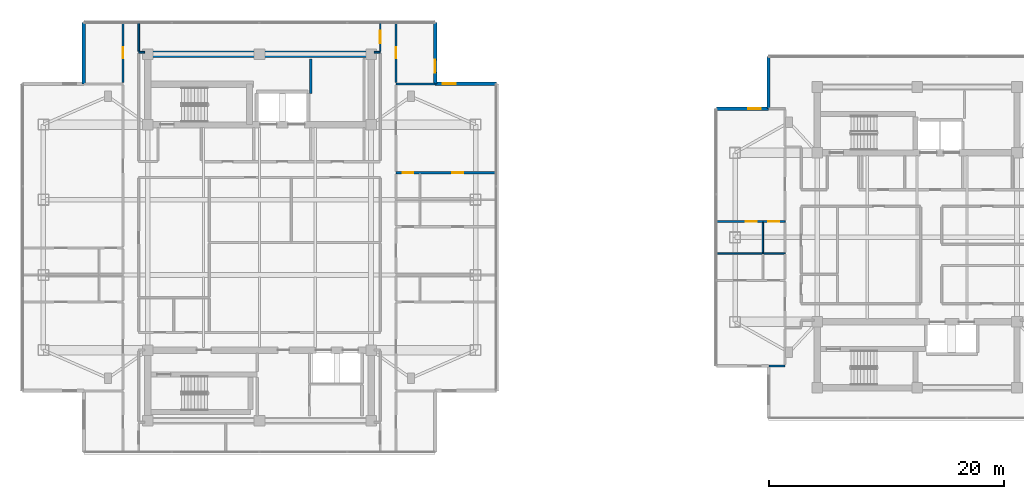
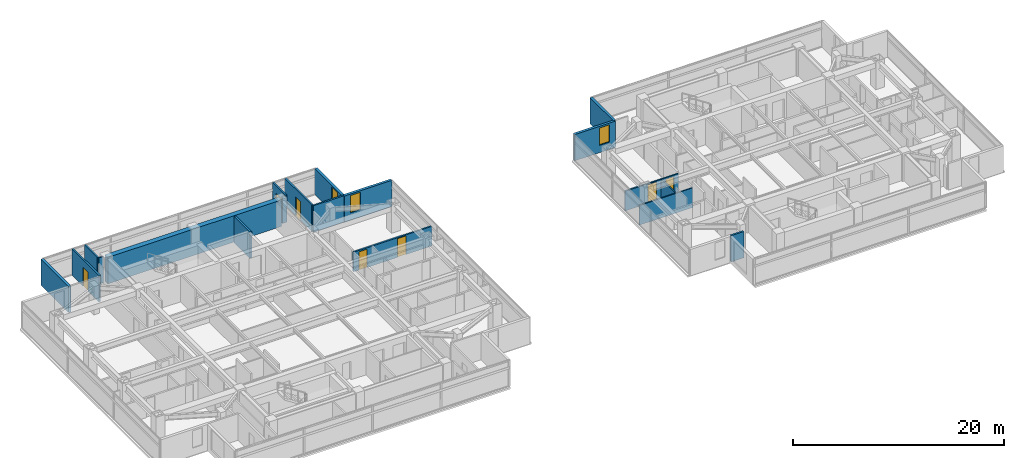
# One storey, part 15 of 24: 19 walls, 7 doors, 3 windows, 10 openings.
"""IFC4 building model written with IfcOpenShell, lengths in metres."""

from ifc_helpers import new_model, si_unit, direction, frame, frame_2d, origin, place, context, subcontext, project, spatial, rectangle, extrude, material, layer, layer_set, type_object, element, fill, save


model = new_model("IFC4")

# Units and contexts
model_context = context("Model", 3, precision=1e-05, world=origin(), true_north=direction((0.0, 1.0)))
body_context = subcontext(model_context, "Body", "Model", "MODEL_VIEW")
ifc_project = project(units=[si_unit("LENGTHUNIT", "METRE"), si_unit("AREAUNIT", "SQUARE_METRE"), si_unit("VOLUMEUNIT", "CUBIC_METRE"), si_unit("PLANEANGLEUNIT", "RADIAN"), si_unit("MASSUNIT", "GRAM", prefix="KILO")], contexts=[model_context])

# Site, building, storey
site_placement = place(None, origin())
site = spatial("IfcSite", under=ifc_project, at=site_placement, CompositionType="ELEMENT")
building_placement = place(site_placement, origin())
building = spatial("IfcBuilding", under=site, at=building_placement, Name="Mirazonda Arch Towers", CompositionType="ELEMENT")
storey_placement = place(building_placement, frame((0.0, 0.0, 193.39990234375)))
storey = spatial("IfcBuildingStorey", under=building, at=storey_placement, Name="L55", CompositionType="ELEMENT", Elevation=193.39990234375)

# Wall
ifc_material_1 = material(Name="Concrete C50/60", Category="concrete")
ifc_layer_1 = layer(ifc_material_1, 0.550048828125, Name="WALL-CORE-550")
ifc_layer_set_1 = layer_set([ifc_layer_1], Name="Concrete C50/60")
wall_type_1 = type_object("IfcWallType", Name="WALL-CORE-550", PredefinedType="SHEAR", material=ifc_layer_set_1)
wall_1_placement = place(storey_placement, frame((11.0, 43.60009765625, 0.0), z_axis=(0.0, 0.0, 1.0), x_axis=(1.0, 0.0, 0.0)))
element("IfcWall", 1, at=wall_1_placement, inside=storey, type_object=wall_type_1, Name="L55 T1N-N Core Shear Wall", PredefinedType="SHEAR", context=body_context, shape_type="SweptSolid", body=[
    extrude(rectangle(XDim=19.0, YDim=0.550048828125, at=frame_2d((9.5, 0.0))), origin(), (0.0, 0.0, 1.0), 3.050048828125),
])

# Wall, opening, window
ifc_material_2 = material(Name="Precast Concrete C40/50", Category="concrete")
ifc_layer_2 = layer(ifc_material_2, 0.280029296875, Name="WALL-EXT-WALL-280")
ifc_layer_set_2 = layer_set([ifc_layer_2], Name="Precast Concrete C40/50")
wall_type_2 = type_object("IfcWallType", Name="WALL-EXT-WALL-280", PredefinedType="SOLIDWALL", material=ifc_layer_set_2)
wall_2_placement = place(storey_placement, frame((35.455078125, 41.069091796875, 0.0), z_axis=(0.0, 0.0, 1.0), x_axis=(0.0, 1.0, 0.0)))
wall_2 = element("IfcWall", 2, at=wall_2_placement, inside=storey, type_object=wall_type_2, Name="L55 T1 Notched NE Corner Wall WL-L55-T1-CNE", PredefinedType="SOLIDWALL", context=body_context, shape_type="SweptSolid", body=[
    extrude(rectangle(XDim=5.21484375, YDim=0.280029296875, at=frame_2d((2.607421875, 0.0))), origin(), (0.0, 0.0, 1.0), 3.030029296875),
])
opening_1_placement = place(wall_2_placement, frame((0.949951171875, 0.0, 0.85009765625)))
opening_1 = element("IfcOpeningElement", 3, at=opening_1_placement, cuts=wall_2, Name="Opening WN-108", PredefinedType="OPENING", context=body_context, shape_type="SweptSolid", body=[
    extrude(rectangle(XDim=1.10009765625, YDim=2.0, at=frame_2d((0.550048828125, 1.0))), frame((0.0, 0.14990234375, 0.0), z_axis=(0.0, -1.0, 0.0), x_axis=(1.0, 0.0, 0.0)), (0.0, 0.0, 1.0), 0.300048828125),
])
ifc_material_3 = material(Name="Insulated Low-E Solar Glass", Category="glass")
window_type = type_object("IfcWindowType", Name="WIN-NOTCH-1100x2000", PartitioningType="SINGLE_PANEL", PredefinedType="WINDOW", material=ifc_material_3)
window_1_placement = place(opening_1_placement, origin())
window_1 = element("IfcWindow", 4, at=window_1_placement, inside=storey, type_object=window_type, Name="L55 Punched Facade Window WN-L55-T1-CNE", OverallHeight=2.0, OverallWidth=1.10009765625, PartitioningType="SINGLE_PANEL", PredefinedType="WINDOW", context=body_context, shape_type="SweptSolid", body=[
    extrude(rectangle(XDim=1.10009765625, YDim=2.0, at=frame_2d((0.550048828125, 1.0))), frame((0.0, 0.030029296875, 0.0), z_axis=(0.0, -1.0, 0.0), x_axis=(1.0, 0.0, 0.0)), (0.0, 0.0, 1.0), 0.06005859375),
])
fill(opening_1, window_1)

# Wall
wall_3_placement = place(storey_placement, frame((5.544921875, 46.283935546875, 0.0), z_axis=(0.0, 0.0, 1.0), x_axis=(0.0, -1.0, 0.0)))
element("IfcWall", 5, at=wall_3_placement, inside=storey, type_object=wall_type_2, Name="L55 T1 Corner Notch Return Wall WL-L55-T1-CNW2", PredefinedType="SOLIDWALL", context=body_context, shape_type="SweptSolid", body=[
    extrude(rectangle(XDim=5.21484375, YDim=0.280029296875, at=frame_2d((2.607421875, 0.0))), origin(), (0.0, 0.0, 1.0), 3.030029296875),
])

# Wall, opening, window
wall_4_placement = place(storey_placement, frame((40.669921875, 41.069091796875, 0.0), z_axis=(0.0, 0.0, 1.0), x_axis=(-1.0, 0.0, 0.0)))
wall_4 = element("IfcWall", 6, at=wall_4_placement, inside=storey, type_object=wall_type_2, Name="L55 T1 Corner Notch Return Wall WL-L55-T1-CNE2", PredefinedType="SOLIDWALL", context=body_context, shape_type="SweptSolid", body=[
    extrude(rectangle(XDim=5.21484375, YDim=0.280029296875, at=frame_2d((2.607421875, 0.0))), origin(), (0.0, 0.0, 1.0), 3.030029296875),
])
opening_2_placement = place(wall_4_placement, frame((3.465087890625, 0.0, 0.85009765625)))
opening_2 = element("IfcOpeningElement", 7, at=opening_2_placement, cuts=wall_4, Name="Opening WN-108", PredefinedType="OPENING", context=body_context, shape_type="SweptSolid", body=[
    extrude(rectangle(XDim=1.10009765625, YDim=2.0, at=frame_2d((0.550048828125, 1.0))), frame((0.0, 0.14990234375, 0.0), z_axis=(0.0, -1.0, 0.0), x_axis=(1.0, 0.0, 0.0)), (0.0, 0.0, 1.0), 0.300048828125),
])
window_2_placement = place(opening_2_placement, origin())
window_2 = element("IfcWindow", 8, at=window_2_placement, inside=storey, type_object=window_type, Name="L55 Punched Facade Window WN-L55-T1-CNE2", OverallHeight=2.0, OverallWidth=1.10009765625, PartitioningType="SINGLE_PANEL", PredefinedType="WINDOW", context=body_context, shape_type="SweptSolid", body=[
    extrude(rectangle(XDim=1.10009765625, YDim=2.0, at=frame_2d((0.550048828125, 1.0))), frame((0.0, 0.030029296875, 0.0), z_axis=(0.0, -1.0, 0.0), x_axis=(1.0, 0.0, 0.0)), (0.0, 0.0, 1.0), 0.06005859375),
])
fill(opening_2, window_2)

wall_5_placement = place(storey_placement, frame((63.84814453125, 38.94873046875, 0.0), z_axis=(0.0, 0.0, 1.0), x_axis=(-1.0, 0.0, 0.0)))
wall_5 = element("IfcWall", 9, at=wall_5_placement, inside=storey, type_object=wall_type_2, Name="L55 T2 Corner Notch Return Wall WL-L55-T2-CNW1", PredefinedType="SOLIDWALL", context=body_context, shape_type="SweptSolid", body=[
    extrude(rectangle(XDim=4.439697265625, YDim=0.280029296875, at=frame_2d((2.2197265625, 0.0))), origin(), (0.0, 0.0, 1.0), 3.030029296875),
])
opening_3_placement = place(wall_5_placement, frame((0.64990234375, 0.0, 0.85009765625)))
opening_3 = element("IfcOpeningElement", 10, at=opening_3_placement, cuts=wall_5, Name="Opening WN-108", PredefinedType="OPENING", context=body_context, shape_type="SweptSolid", body=[
    extrude(rectangle(XDim=1.10009765625, YDim=2.0, at=frame_2d((0.550048828125, 1.0))), frame((0.0, 0.14990234375, 0.0), z_axis=(0.0, -1.0, 0.0), x_axis=(1.0, 0.0, 0.0)), (0.0, 0.0, 1.0), 0.300048828125),
])
window_3_placement = place(opening_3_placement, origin())
window_3 = element("IfcWindow", 11, at=window_3_placement, inside=storey, type_object=window_type, Name="L55 Punched Facade Window WN-L55-T2-CNW1", OverallHeight=2.0, OverallWidth=1.10009765625, PartitioningType="SINGLE_PANEL", PredefinedType="WINDOW", context=body_context, shape_type="SweptSolid", body=[
    extrude(rectangle(XDim=1.10009765625, YDim=2.0, at=frame_2d((0.550048828125, 1.0))), frame((0.0, 0.030029296875, 0.0), z_axis=(0.0, -1.0, 0.0), x_axis=(1.0, 0.0, 0.0)), (0.0, 0.0, 1.0), 0.06005859375),
])
fill(opening_3, window_3)

# Walls
wall_6_placement = place(storey_placement, frame((63.84814453125, 43.388427734375, 0.0), z_axis=(0.0, 0.0, 1.0), x_axis=(0.0, -1.0, 0.0)))
element("IfcWall", 12, at=wall_6_placement, inside=storey, type_object=wall_type_2, Name="L55 T2 Corner Notch Return Wall WL-L55-T2-CNW2", PredefinedType="SOLIDWALL", context=body_context, shape_type="SweptSolid", body=[
    extrude(rectangle(XDim=4.439697265625, YDim=0.280029296875, at=frame_2d((2.2197265625, 0.0))), origin(), (0.0, 0.0, 1.0), 3.030029296875),
])
ifc_material_4 = material(Name="Concrete C40/50", Category="concrete")
ifc_layer_3 = layer(ifc_material_4, 0.219970703125, Name="WALL-FFL-220")
ifc_layer_set_3 = layer_set([ifc_layer_3], Name="Concrete C40/50")
wall_type_3 = type_object("IfcWallType", Name="WALL-FFL-220", PredefinedType="SOLIDWALL", material=ifc_layer_set_3)
wall_7_placement = place(storey_placement, frame((24.85009765625, 40.260009765625, 0.0), z_axis=(0.0, 0.0, 1.0), x_axis=(0.0, 1.0, 0.0)))
element("IfcWall", 13, at=wall_7_placement, inside=storey, type_object=wall_type_3, Name="L55 Interior Partition 089", PredefinedType="SOLIDWALL", context=body_context, shape_type="SweptSolid", body=[
    extrude(rectangle(XDim=2.93994140625, YDim=0.219970703125, at=frame_2d((1.469970703125, 0.0))), origin(), (0.0, 0.0, 1.0), 3.050048828125),
])

# Wall, openings, doors
ifc_material_5 = material(Name="Fire-Rated Gypsum Stud Partition")
ifc_layer_4 = layer(ifc_material_5, 0.14990234375, Name="WALL-PART-CORR-150")
ifc_layer_set_4 = layer_set([ifc_layer_4], Name="Fire-Rated Gypsum Stud Partition")
wall_type_4 = type_object("IfcWallType", Name="WALL-PART-CORR-150", PredefinedType="PARTITIONING", material=ifc_layer_set_4)
wall_8_placement = place(storey_placement, frame((59.407958984375, 29.35205078125, 0.0), z_axis=(0.0, 0.0, 1.0), x_axis=(1.0, 0.0, 0.0)))
wall_8 = element("IfcWall", 14, at=wall_8_placement, inside=storey, type_object=wall_type_4, Name="L55 Interior Partition 036", PredefinedType="PARTITIONING", context=body_context, shape_type="SweptSolid", body=[
    extrude(rectangle(XDim=5.842041015625, YDim=0.14990234375, at=frame_2d((2.9208984375, 0.0))), origin(), (0.0, 0.0, 1.0), 2.26904296875),
])
opening_4_placement = place(wall_8_placement, frame((2.47607421875, 0.0, 0.0)))
opening_4 = element("IfcOpeningElement", 15, at=opening_4_placement, cuts=wall_8, Name="Opening DR-104", PredefinedType="OPENING", context=body_context, shape_type="SweptSolid", body=[
    extrude(rectangle(XDim=0.949951171875, YDim=2.14990234375, at=frame_2d((0.47509765625, 1.074951171875))), frame((0.0, 0.0849609375, 0.0), z_axis=(0.0, -1.0, 0.0), x_axis=(1.0, 0.0, 0.0)), (0.0, 0.0, 1.0), 0.169921875),
])
opening_5_placement = place(wall_8_placement, frame((4.431884765625, 0.0, 0.0)))
opening_5 = element("IfcOpeningElement", 16, at=opening_5_placement, cuts=wall_8, Name="Opening DR-120", PredefinedType="OPENING", context=body_context, shape_type="SweptSolid", body=[
    extrude(rectangle(XDim=0.89990234375, YDim=2.10009765625, at=frame_2d((0.449951171875, 1.050048828125))), frame((0.0, 0.0849609375, 0.0), z_axis=(0.0, -1.0, 0.0), x_axis=(1.0, 0.0, 0.0)), (0.0, 0.0, 1.0), 0.169921875),
])
ifc_material_6 = material(Name="Architectural Brushed Steel S355", Category="steel")
door_type_1 = type_object("IfcDoorType", Name="DOOR-ROOM-950", OperationType="NOTDEFINED", PredefinedType="DOOR", material=ifc_material_6)
door_1_placement = place(opening_4_placement, origin())
door_1 = element("IfcDoor", 17, at=door_1_placement, inside=storey, type_object=door_type_1, Name="L55 Studio 2 Galley Kitchen Door", OperationType="SINGLE_SWING_RIGHT", OverallHeight=2.14990234375, OverallWidth=0.949951171875, PredefinedType="DOOR", context=body_context, shape_type="SweptSolid", body=[
    extrude(rectangle(XDim=0.949951171875, YDim=2.14990234375, at=frame_2d((0.47509765625, 1.074951171875))), frame((0.0, 0.02490234375, 0.0), z_axis=(0.0, -1.0, 0.0), x_axis=(1.0, 0.0, 0.0)), (0.0, 0.0, 1.0), 0.050048828125),
])
fill(opening_4, door_1)
door_type_2 = type_object("IfcDoorType", Name="DOOR-WC-900", OperationType="NOTDEFINED", PredefinedType="DOOR", material=ifc_material_6)
door_2_placement = place(opening_5_placement, origin())
door_2 = element("IfcDoor", 18, at=door_2_placement, inside=storey, type_object=door_type_2, Name="L55 Studio 2 Bathroom Door", OperationType="SINGLE_SWING_LEFT", OverallHeight=2.10009765625, OverallWidth=0.89990234375, PredefinedType="DOOR", context=body_context, shape_type="SweptSolid", body=[
    extrude(rectangle(XDim=0.89990234375, YDim=2.10009765625, at=frame_2d((0.449951171875, 1.050048828125))), frame((0.0, 0.02490234375, 0.0), z_axis=(0.0, -1.0, 0.0), x_axis=(1.0, 0.0, 0.0)), (0.0, 0.0, 1.0), 0.050048828125),
])
fill(opening_5, door_2)

# Walls
for number, where, z_axis, x_axis, name in (
    (19, (10.219970703125, 43.75, 0.0), (0.0, 0.0, 1.0), (1.0, 0.0, 0.0), "L55 Interior Partition 056"),
    (20, (30.27001953125, 43.75, 0.0), (0.0, 0.0, 1.0), (1.0, 0.0, 0.0), "L55 Interior Partition 057"),
):
    element("IfcWall", number, at=place(storey_placement, frame(where, z_axis=z_axis, x_axis=x_axis)), inside=storey, type_object=wall_type_4, Name=name, PredefinedType="PARTITIONING", context=body_context, shape_type="SweptSolid", body=[
        extrude(rectangle(XDim=0.510009765625, YDim=0.14990234375, at=frame_2d((0.2548828125, 0.0))), origin(), (0.0, 0.0, 1.0), 3.050048828125),
    ])
wall_9_placement = place(storey_placement, frame((10.219970703125, 43.8349609375, 0.0), z_axis=(0.0, 0.0, 1.0), x_axis=(0.0, 1.0, 0.0)))
element("IfcWall", 21, at=wall_9_placement, inside=storey, type_object=wall_type_4, Name="L55 Interior Partition 071", PredefinedType="PARTITIONING", context=body_context, shape_type="SweptSolid", body=[
    extrude(rectangle(XDim=2.448974609375, YDim=0.14990234375, at=frame_2d((1.224609375, 0.0))), origin(), (0.0, 0.0, 1.0), 3.050048828125),
])

# Wall, opening, door
wall_10_placement = place(storey_placement, frame((30.780029296875, 43.8349609375, 0.0), z_axis=(0.0, 0.0, 1.0), x_axis=(0.0, 1.0, 0.0)))
wall_10 = element("IfcWall", 22, at=wall_10_placement, inside=storey, type_object=wall_type_4, Name="L55 Interior Partition 099", PredefinedType="PARTITIONING", context=body_context, shape_type="SweptSolid", body=[
    extrude(rectangle(XDim=2.448974609375, YDim=0.14990234375, at=frame_2d((1.224609375, 0.0))), origin(), (0.0, 0.0, 1.0), 3.050048828125),
])
opening_6_placement = place(wall_10_placement, frame((0.699462890625, 0.0, 0.0)))
opening_6 = element("IfcOpeningElement", 23, at=opening_6_placement, cuts=wall_10, Name="Opening DR-121", PredefinedType="OPENING", context=body_context, shape_type="SweptSolid", body=[
    extrude(rectangle(XDim=1.050048828125, YDim=2.199951171875, at=frame_2d((0.52490234375, 1.10009765625))), frame((0.0, 0.0849609375, 0.0), z_axis=(0.0, -1.0, 0.0), x_axis=(1.0, 0.0, 0.0)), (0.0, 0.0, 1.0), 0.169921875),
])
door_type_3 = type_object("IfcDoorType", Name="DOOR-SUITE-FD60-1050", OperationType="NOTDEFINED", PredefinedType="DOOR", material=ifc_material_6)
door_3_placement = place(opening_6_placement, origin())
door_3 = element("IfcDoor", 24, at=door_3_placement, inside=storey, type_object=door_type_3, Name="L55 North Reading Salon Suite Door", OperationType="SINGLE_SWING_LEFT", OverallHeight=2.199951171875, OverallWidth=1.050048828125, PredefinedType="DOOR", context=body_context, shape_type="SweptSolid", body=[
    extrude(rectangle(XDim=1.050048828125, YDim=2.199951171875, at=frame_2d((0.52490234375, 1.10009765625))), frame((0.0, 0.02490234375, 0.0), z_axis=(0.0, -1.0, 0.0), x_axis=(1.0, 0.0, 0.0)), (0.0, 0.0, 1.0), 0.050048828125),
])
fill(opening_6, door_3)

# Wall
ifc_material_7 = material(Name="Fire-Rated Gypsum Twin-Stud Assembly")
ifc_layer_5 = layer(ifc_material_7, 0.179931640625, Name="WALL-PART-DEMISE-180")
ifc_layer_set_5 = layer_set([ifc_layer_5], Name="Fire-Rated Gypsum Twin-Stud Assembly")
wall_type_5 = type_object("IfcWallType", Name="WALL-PART-DEMISE-180", PredefinedType="PARTITIONING", material=ifc_layer_set_5)
wall_11_placement = place(storey_placement, frame((63.8681640625, 17.051025390625, 0.0), z_axis=(0.0, 0.0, 1.0), x_axis=(1.0, 0.0, 0.0)))
element("IfcWall", 25, at=wall_11_placement, inside=storey, type_object=wall_type_5, Name="L55 Interior Partition 008", PredefinedType="PARTITIONING", context=body_context, shape_type="SweptSolid", body=[
    extrude(rectangle(XDim=1.3818359375, YDim=0.179931640625, at=frame_2d((0.69091796875, 0.0))), origin(), (0.0, 0.0, 1.0), 3.050048828125),
])

# Wall, openings, doors
wall_12_placement = place(storey_placement, frame((32.1201171875, 33.5, 0.0), z_axis=(0.0, 0.0, 1.0), x_axis=(1.0, 0.0, 0.0)))
wall_12 = element("IfcWall", 26, at=wall_12_placement, inside=storey, type_object=wall_type_5, Name="L55 Interior Partition 044", PredefinedType="PARTITIONING", context=body_context, shape_type="SweptSolid", body=[
    extrude(rectangle(XDim=8.5498046875, YDim=0.179931640625, at=frame_2d((4.27490234375, 0.0))), origin(), (0.0, 0.0, 1.0), 2.26904296875),
])
opening_7_placement = place(wall_12_placement, frame((4.800048828125, 0.0, 0.0)))
opening_7 = element("IfcOpeningElement", 27, at=opening_7_placement, cuts=wall_12, Name="Opening DR-104", PredefinedType="OPENING", context=body_context, shape_type="SweptSolid", body=[
    extrude(rectangle(XDim=0.949951171875, YDim=2.14990234375, at=frame_2d((0.47509765625, 1.074951171875))), frame((0.0, 0.099853515625, 0.0), z_axis=(0.0, -1.0, 0.0), x_axis=(1.0, 0.0, 0.0)), (0.0, 0.0, 1.0), 0.199951171875),
])
opening_8_placement = place(wall_12_placement, frame((0.590087890625, 0.0, 0.0)))
opening_8 = element("IfcOpeningElement", 28, at=opening_8_placement, cuts=wall_12, Name="Opening DR-120", PredefinedType="OPENING", context=body_context, shape_type="SweptSolid", body=[
    extrude(rectangle(XDim=0.89990234375, YDim=2.10009765625, at=frame_2d((0.449951171875, 1.050048828125))), frame((0.0, 0.099853515625, 0.0), z_axis=(0.0, -1.0, 0.0), x_axis=(1.0, 0.0, 0.0)), (0.0, 0.0, 1.0), 0.199951171875),
])
door_4_placement = place(opening_7_placement, origin())
door_4 = element("IfcDoor", 29, at=door_4_placement, inside=storey, type_object=door_type_1, Name="L55 Guestroom Study 3 Door", OperationType="SINGLE_SWING_RIGHT", OverallHeight=2.14990234375, OverallWidth=0.949951171875, PredefinedType="DOOR", context=body_context, shape_type="SweptSolid", body=[
    extrude(rectangle(XDim=0.949951171875, YDim=2.14990234375, at=frame_2d((0.47509765625, 1.074951171875))), frame((0.0, 0.02490234375, 0.0), z_axis=(0.0, -1.0, 0.0), x_axis=(1.0, 0.0, 0.0)), (0.0, 0.0, 1.0), 0.050048828125),
])
fill(opening_7, door_4)
door_5_placement = place(opening_8_placement, origin())
door_5 = element("IfcDoor", 30, at=door_5_placement, inside=storey, type_object=door_type_2, Name="L55 En-Suite Bathroom 3 Door", OperationType="SINGLE_SWING_LEFT", OverallHeight=2.10009765625, OverallWidth=0.89990234375, PredefinedType="DOOR", context=body_context, shape_type="SweptSolid", body=[
    extrude(rectangle(XDim=0.89990234375, YDim=2.10009765625, at=frame_2d((0.449951171875, 1.050048828125))), frame((0.0, 0.02490234375, 0.0), z_axis=(0.0, -1.0, 0.0), x_axis=(1.0, 0.0, 0.0)), (0.0, 0.0, 1.0), 0.050048828125),
])
fill(opening_8, door_5)

# Wall
wall_13_placement = place(storey_placement, frame((32.1201171875, 41.069091796875, 0.0), z_axis=(0.0, 0.0, 1.0), x_axis=(1.0, 0.0, 0.0)))
element("IfcWall", 31, at=wall_13_placement, inside=storey, type_object=wall_type_5, Name="L55 Interior Partition 055", PredefinedType="PARTITIONING", context=body_context, shape_type="SweptSolid", body=[
    extrude(rectangle(XDim=3.31494140625, YDim=0.179931640625, at=frame_2d((1.657470703125, 0.0))), origin(), (0.0, 0.0, 1.0), 3.050048828125),
])

# Wall, opening, door
wall_14_placement = place(storey_placement, frame((8.8798828125, 41.1689453125, 0.0), z_axis=(0.0, 0.0, 1.0), x_axis=(0.0, 1.0, 0.0)))
wall_14 = element("IfcWall", 32, at=wall_14_placement, inside=storey, type_object=wall_type_5, Name="L55 Interior Partition 065", PredefinedType="PARTITIONING", context=body_context, shape_type="SweptSolid", body=[
    extrude(rectangle(XDim=5.114990234375, YDim=0.179931640625, at=frame_2d((2.5576171875, 0.0))), origin(), (0.0, 0.0, 1.0), 3.050048828125),
])
opening_9_placement = place(wall_14_placement, frame((2.08251953125, 0.0, 0.0)))
opening_9 = element("IfcOpeningElement", 33, at=opening_9_placement, cuts=wall_14, Name="Opening DR-104", PredefinedType="OPENING", context=body_context, shape_type="SweptSolid", body=[
    extrude(rectangle(XDim=0.949951171875, YDim=2.14990234375, at=frame_2d((0.47509765625, 1.074951171875))), frame((0.0, 0.099853515625, 0.0), z_axis=(0.0, -1.0, 0.0), x_axis=(1.0, 0.0, 0.0)), (0.0, 0.0, 1.0), 0.199951171875),
])
door_6_placement = place(opening_9_placement, origin())
door_6 = element("IfcDoor", 34, at=door_6_placement, inside=storey, type_object=door_type_1, Name="L55 North Reading Salon Alcove West Door", OperationType="SINGLE_SWING_RIGHT", OverallHeight=2.14990234375, OverallWidth=0.949951171875, PredefinedType="DOOR", context=body_context, shape_type="SweptSolid", body=[
    extrude(rectangle(XDim=0.949951171875, YDim=2.14990234375, at=frame_2d((0.47509765625, 1.074951171875))), frame((0.0, 0.02490234375, 0.0), z_axis=(0.0, -1.0, 0.0), x_axis=(1.0, 0.0, 0.0)), (0.0, 0.0, 1.0), 0.050048828125),
])
fill(opening_9, door_6)

wall_15_placement = place(storey_placement, frame((32.1201171875, 41.1689453125, 0.0), z_axis=(0.0, 0.0, 1.0), x_axis=(0.0, 1.0, 0.0)))
wall_15 = element("IfcWall", 35, at=wall_15_placement, inside=storey, type_object=wall_type_5, Name="L55 Interior Partition 107", PredefinedType="PARTITIONING", context=body_context, shape_type="SweptSolid", body=[
    extrude(rectangle(XDim=5.114990234375, YDim=0.179931640625, at=frame_2d((2.5576171875, 0.0))), origin(), (0.0, 0.0, 1.0), 3.050048828125),
])
opening_10_placement = place(wall_15_placement, frame((2.08251953125, 0.0, 0.0)))
opening_10 = element("IfcOpeningElement", 36, at=opening_10_placement, cuts=wall_15, Name="Opening DR-104", PredefinedType="OPENING", context=body_context, shape_type="SweptSolid", body=[
    extrude(rectangle(XDim=0.949951171875, YDim=2.14990234375, at=frame_2d((0.47509765625, 1.074951171875))), frame((0.0, 0.099853515625, 0.0), z_axis=(0.0, -1.0, 0.0), x_axis=(1.0, 0.0, 0.0)), (0.0, 0.0, 1.0), 0.199951171875),
])
door_7_placement = place(opening_10_placement, origin())
door_7 = element("IfcDoor", 37, at=door_7_placement, inside=storey, type_object=door_type_1, Name="L55 North Reading Salon Alcove East Door", OperationType="SINGLE_SWING_LEFT", OverallHeight=2.14990234375, OverallWidth=0.949951171875, PredefinedType="DOOR", context=body_context, shape_type="SweptSolid", body=[
    extrude(rectangle(XDim=0.949951171875, YDim=2.14990234375, at=frame_2d((0.47509765625, 1.074951171875))), frame((0.0, 0.02490234375, 0.0), z_axis=(0.0, -1.0, 0.0), x_axis=(1.0, 0.0, 0.0)), (0.0, 0.0, 1.0), 0.050048828125),
])
fill(opening_10, door_7)

# Walls
ifc_material_8 = material(Name="Acoustic Fire-Rated Gypsum Partition")
ifc_layer_6 = layer(ifc_material_8, 0.125, Name="WALL-PART-UNIT-125")
ifc_layer_set_6 = layer_set([ifc_layer_6], Name="Acoustic Fire-Rated Gypsum Partition")
wall_type_6 = type_object("IfcWallType", Name="WALL-PART-UNIT-125", PredefinedType="PARTITIONING", material=ifc_layer_set_6)
wall_16_placement = place(storey_placement, frame((59.407958984375, 26.632080078125, 0.0), z_axis=(0.0, 0.0, 1.0), x_axis=(1.0, 0.0, 0.0)))
element("IfcWall", 38, at=wall_16_placement, inside=storey, type_object=wall_type_6, Name="L55 Interior Partition 030", PredefinedType="PARTITIONING", context=body_context, shape_type="SweptSolid", body=[
    extrude(rectangle(XDim=5.842041015625, YDim=0.125, at=frame_2d((2.9208984375, 0.0))), origin(), (0.0, 0.0, 1.0), 2.26904296875),
])
wall_17_placement = place(storey_placement, frame((63.3701171875, 26.70458984375, 0.0), z_axis=(0.0, 0.0, 1.0), x_axis=(0.0, 1.0, 0.0)))
element("IfcWall", 39, at=wall_17_placement, inside=storey, type_object=wall_type_6, Name="L55 Interior Partition 112", PredefinedType="PARTITIONING", context=body_context, shape_type="SweptSolid", body=[
    extrude(rectangle(XDim=2.5625, YDim=0.125, at=frame_2d((1.28125, 0.0))), origin(), (0.0, 0.0, 1.0), 2.34619140625),
])

save(model, "model.ifc")
